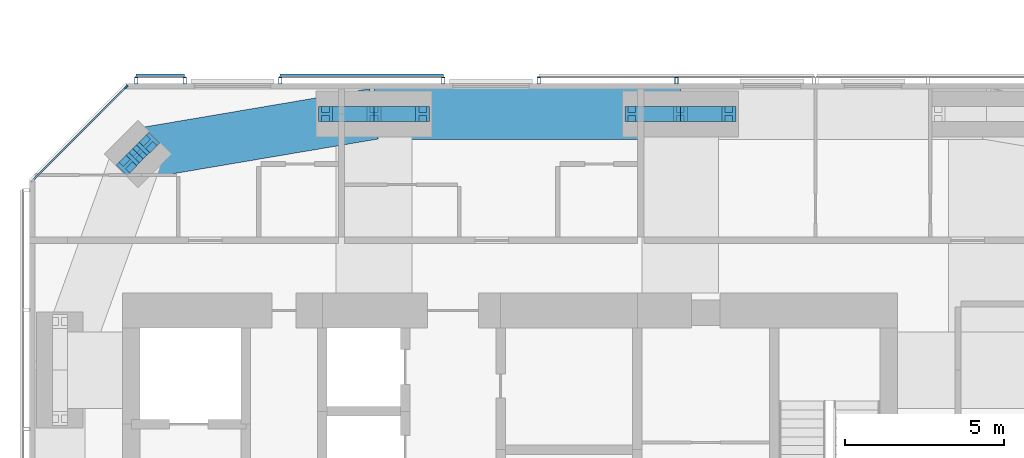
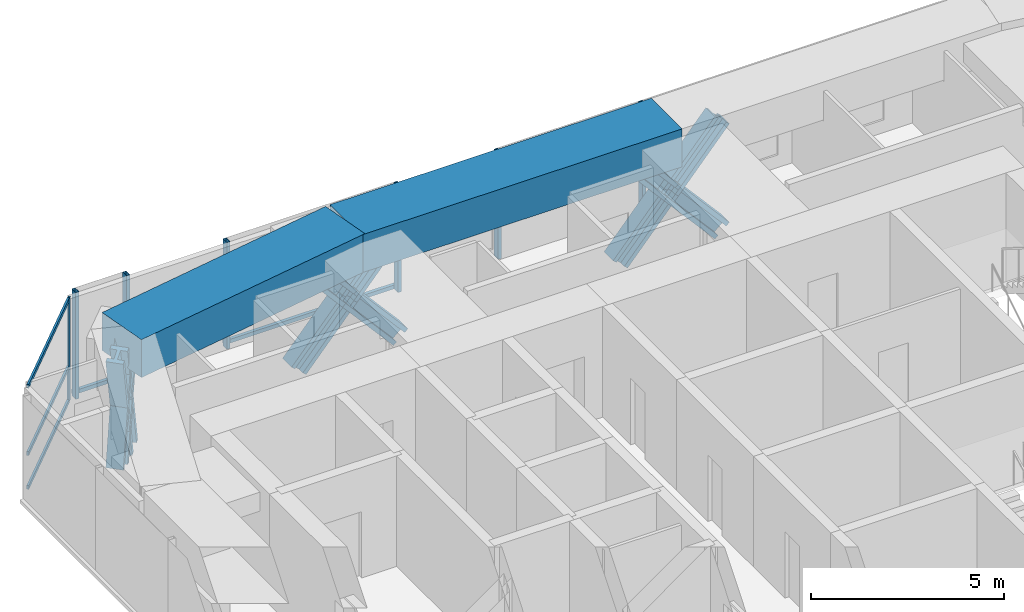
# One storey, part 9 of 18: 24 members, 2 beams, 4 elements without a shape of their own.
"""IFC4 building model written with IfcOpenShell, lengths in metres."""

from ifc_helpers import new_model, si_unit, direction, frame, origin, origin_2d, place, context, subcontext, project, spatial, rectangle, hollow_rectangle, i_section, extrude, material, material_profile, profile_set, type_object, element, aggregate, save


model = new_model("IFC4")

# Units and contexts
model_context = context("Model", 3, precision=1e-05, world=origin(), true_north=direction((0.0, 1.0)))
body_context = subcontext(model_context, "Body", "Model", "MODEL_VIEW")
ifc_project = project(units=[si_unit("LENGTHUNIT", "METRE"), si_unit("AREAUNIT", "SQUARE_METRE"), si_unit("VOLUMEUNIT", "CUBIC_METRE"), si_unit("PLANEANGLEUNIT", "RADIAN"), si_unit("MASSUNIT", "GRAM", prefix="KILO")], contexts=[model_context])

# Site, building, storey
site_placement = place(None, origin())
site = spatial("IfcSite", under=ifc_project, at=site_placement, CompositionType="ELEMENT")
building_placement = place(site_placement, origin())
building = spatial("IfcBuilding", under=site, at=building_placement, Name="Jalousie Tower", CompositionType="ELEMENT")
storey_placement = place(building_placement, frame((0.0, 0.0, 228.449951171875)))
storey = spatial("IfcBuildingStorey", under=building, at=storey_placement, Name="L62", CompositionType="ELEMENT", Elevation=228.449951171875)

# Curtain wall, members
ifc_material_1 = material(Name="Aluminium curtain wall", Category="aluminium")
curtain_wall_type_1 = type_object("IfcCurtainWallType", Name="CORNER WINDOW WALL", PredefinedType="USERDEFINED", material=ifc_material_1)
curtain_wall_1_placement = place(storey_placement, origin())
curtain_wall_1 = element("IfcCurtainWall", 1, at=curtain_wall_1_placement, inside=storey, type_object=curtain_wall_type_1, Name="Corner Window Wall L62 6", ObjectType="CORNER WINDOW WALL", PredefinedType="USERDEFINED")
ifc_material_2 = material(Name="Aluminium mullion", Category="aluminium")
ifc_material_profile_1 = material_profile(ifc_material_2, rectangle(XDim=0.06005859375, YDim=0.14990234375, at=origin_2d()), Name="MULLION 60x150")
ifc_profile_set_1 = profile_set([ifc_material_profile_1], Name="Aluminium mullion")
member_type_1 = type_object("IfcMemberType", Name="CORNER WINDOW WALL MULLION", PredefinedType="MULLION", material=ifc_profile_set_1)
member_1_placement = place(storey_placement, frame((19.830078125, 33.891357421875, 0.0), z_axis=(0.0, 0.0, 1.0), x_axis=(0.707106781187, -0.707106781187, 0.0)))
member_1 = element("IfcMember", 2, at=member_1_placement, type_object=member_type_1, Name="CW-C mullion 1", PredefinedType="MULLION", context=body_context, shape_type="SweptSolid", body=[
    extrude(rectangle(XDim=0.06005859375, YDim=0.14990234375, at=origin_2d()), origin(), (0.0, 0.0, 1.0), 3.260009765625),
])
ifc_material_3 = material(Name="Aluminium transom", Category="aluminium")
ifc_material_profile_2 = material_profile(ifc_material_3, rectangle(XDim=0.06005859375, YDim=0.1201171875, at=origin_2d()), Name="TRANSOM 60x120")
ifc_profile_set_2 = profile_set([ifc_material_profile_2], Name="Aluminium transom")
member_type_2 = type_object("IfcMemberType", Name="CORNER WINDOW WALL TRANSOM", PredefinedType="USERDEFINED", material=ifc_profile_set_2)
member_2_placement = place(storey_placement, frame((19.808837890625, 33.8701171875, 0.030029296875), z_axis=(-0.707106781187, -0.707106781187, 0.0), x_axis=(0.707106781187, -0.707106781187, 0.0)))
member_2 = element("IfcMember", 3, at=member_2_placement, type_object=member_type_2, Name="CW-C transom 1.1", ObjectType="TRANSOM", PredefinedType="USERDEFINED", context=body_context, shape_type="SweptSolid", body=[
    extrude(rectangle(XDim=0.06005859375, YDim=0.1201171875, at=origin_2d()), origin(), (0.0, 0.0, 1.0), 4.0712890625),
])
member_3_placement = place(storey_placement, frame((19.808837890625, 33.8701171875, 1.10009765625), z_axis=(-0.707106781187, -0.707106781187, 0.0), x_axis=(0.707106781187, -0.707106781187, 0.0)))
member_3 = element("IfcMember", 4, at=member_3_placement, type_object=member_type_2, Name="CW-C transom 1.2", ObjectType="TRANSOM", PredefinedType="USERDEFINED", context=body_context, shape_type="SweptSolid", body=[
    extrude(rectangle(XDim=0.06005859375, YDim=0.1201171875, at=origin_2d()), origin(), (0.0, 0.0, 1.0), 4.0712890625),
])
member_4_placement = place(storey_placement, frame((19.808837890625, 33.8701171875, 3.22998046875), z_axis=(-0.707106781187, -0.707106781187, 0.0), x_axis=(0.707106781187, -0.707106781187, 0.0)))
member_4 = element("IfcMember", 5, at=member_4_placement, type_object=member_type_2, Name="CW-C transom 1.3", ObjectType="TRANSOM", PredefinedType="USERDEFINED", context=body_context, shape_type="SweptSolid", body=[
    extrude(rectangle(XDim=0.06005859375, YDim=0.1201171875, at=origin_2d()), origin(), (0.0, 0.0, 1.0), 4.0712890625),
])
aggregate(curtain_wall_1, [member_1, member_2, member_3, member_4])

# Members
ifc_material_4 = material(Name="Steel ASTM A992 Grade 50", Category="steel")
ifc_material_profile_3 = material_profile(ifc_material_4, i_section(OverallWidth=0.472412109375, OverallDepth=0.5791015625, WebThickness=0.094970703125, FlangeThickness=0.1298828125, at=origin_2d()), Name="W14X808")
ifc_profile_set_3 = profile_set([ifc_material_profile_3], Name="Steel ASTM A992 Grade 50")
member_type_3 = type_object("IfcMemberType", Name="PERIMETER BRACE W14X808", PredefinedType="BRACE", material=ifc_profile_set_3)
for number, where, z_axis, x_axis, name in (
    (6, (35.72509765625, 33.050048828125, -0.599853515625), (0.65695436777, 0.0, 0.753930340726), (0.0, 1.0, 0.0), "Perimeter brace 10 L62 part 1"),
    (7, (37.25, 33.050048828125, 1.150146484375), (0.65695436777, 0.0, 0.753930340726), (0.0, 1.0, 0.0), "Perimeter brace 10 L62 part 2"),
    (8, (38.77490234375, 33.050048828125, -0.599853515625), (-0.65695436777, 0.0, 0.753930340726), (0.0, -1.0, 0.0), "Perimeter brace 10 L62 part 3"),
    (9, (37.25, 33.050048828125, 1.150146484375), (-0.65695436777, 0.0, 0.753930340726), (0.0, -1.0, 0.0), "Perimeter brace 10 L62 part 4"),
    (10, (26.10009765625, 33.050048828125, -0.599853515625), (0.65695436777, 0.0, 0.753930340726), (0.0, 1.0, 0.0), "Perimeter brace 11 L62 part 1"),
    (11, (27.625, 33.050048828125, 1.150146484375), (0.65695436777, 0.0, 0.753930340726), (0.0, 1.0, 0.0), "Perimeter brace 11 L62 part 2"),
    (12, (29.14990234375, 33.050048828125, -0.599853515625), (-0.65695436777, 0.0, 0.753930340726), (0.0, -1.0, 0.0), "Perimeter brace 11 L62 part 3"),
    (13, (27.625, 33.050048828125, 1.150146484375), (-0.65695436777, 0.0, 0.753930340726), (0.0, -1.0, 0.0), "Perimeter brace 11 L62 part 4"),
):
    element("IfcMember", number, at=place(storey_placement, frame(where, z_axis=z_axis, x_axis=x_axis)), inside=storey, type_object=member_type_3, Name=name, PredefinedType="BRACE", context=body_context, shape_type="SweptSolid", body=[
        extrude(i_section(OverallWidth=0.472412109375, OverallDepth=0.5791015625, WebThickness=0.094970703125, FlangeThickness=0.1298828125, at=origin_2d()), origin(), (0.0, 0.0, 1.0), 2.3212890625),
    ])
for number, where, z_axis, x_axis, name in (
    (14, (20.525390625, 32.111083984375, -0.599853515625), (-0.17618653952, -0.176051427143, 0.968485517854), (0.706835495285, -0.707377963048, 0.0), "Perimeter brace 12 L62 part 1"),
    (15, (20.20703125, 31.79296875, 1.150146484375), (-0.176051427143, -0.17618653952, 0.968485517854), (0.707377963048, -0.706835495285, 0.0), "Perimeter brace 12 L62 part 2"),
    (16, (19.888916015625, 31.474609375, -0.599853515625), (0.176051427143, 0.17618653952, 0.968485517854), (-0.707377963048, 0.706835495285, 0.0), "Perimeter brace 12 L62 part 3"),
    (17, (20.20703125, 31.79296875, 1.150146484375), (0.17618653952, 0.176051427143, 0.968485517854), (-0.706835495285, 0.707377963048, 0.0), "Perimeter brace 12 L62 part 4"),
):
    element("IfcMember", number, at=place(storey_placement, frame(where, z_axis=z_axis, x_axis=x_axis)), inside=storey, type_object=member_type_3, Name=name, PredefinedType="BRACE", context=body_context, shape_type="SweptSolid", body=[
        extrude(i_section(OverallWidth=0.472412109375, OverallDepth=0.5791015625, WebThickness=0.094970703125, FlangeThickness=0.1298828125, at=origin_2d()), origin(), (0.0, 0.0, 1.0), 1.806884765625),
    ])

# Beams
ifc_material_5 = material(Name="Concrete f'c 40 MPa", Category="concrete")
ifc_material_profile_4 = material_profile(ifc_material_5, rectangle(XDim=1.60009765625, YDim=1.199951171875, at=origin_2d()), Name="RC 1600x1200")
ifc_profile_set_4 = profile_set([ifc_material_profile_4], Name="Concrete f'c 40 MPa")
beam_type = type_object("IfcBeamType", Name="RC BEAM 1600x1200", PredefinedType="BEAM", material=ifc_profile_set_4)
beam_1_placement = place(storey_placement, frame((37.25, 33.050048828125, 2.900146484375), z_axis=(-1.0, 0.0, 0.0), x_axis=(0.0, -1.0, 0.0)))
element("IfcBeam", 18, at=beam_1_placement, inside=storey, type_object=beam_type, Name="Edge band beam 10-11 under L63", PredefinedType="BEAM", context=body_context, shape_type="SweptSolid", body=[
    extrude(rectangle(XDim=1.60009765625, YDim=1.199951171875, at=origin_2d()), origin(), (0.0, 0.0, 1.0), 9.625),
])
beam_2_placement = place(storey_placement, frame((27.625, 33.050048828125, 2.900146484375), z_axis=(-0.985942997446, -0.167082033105, 0.0), x_axis=(0.167082033105, -0.985942997446, 0.0)))
element("IfcBeam", 19, at=beam_2_placement, inside=storey, type_object=beam_type, Name="Edge band beam 11-12 under L63", PredefinedType="BEAM", context=body_context, shape_type="SweptSolid", body=[
    extrude(rectangle(XDim=1.60009765625, YDim=1.199951171875, at=origin_2d()), origin(), (0.0, 0.0, 1.0), 7.523681640625),
])

# Curtain wall, members
ifc_material_6 = material(Name="Perforated aluminium sheet", Category="aluminium")
curtain_wall_type_2 = type_object("IfcCurtainWallType", Name="SOLAR SCREEN SS-2", PredefinedType="USERDEFINED", material=ifc_material_6)
curtain_wall_2_placement = place(storey_placement, origin())
curtain_wall_2 = element("IfcCurtainWall", 20, at=curtain_wall_2_placement, inside=storey, type_object=curtain_wall_type_2, Name="Solar screen L62", ObjectType="SOLAR SCREEN SS-2", PredefinedType="USERDEFINED")
ifc_material_7 = material(Name="Steel ASTM A500 Grade C", Category="steel")
ifc_material_profile_5 = material_profile(ifc_material_7, hollow_rectangle(XDim=0.1015625, YDim=0.203125, WallThickness=0.0078125, at=origin_2d()), Name="HSS8X4X5/16")
ifc_profile_set_5 = profile_set([ifc_material_profile_5], Name="Steel ASTM A500 Grade C")
member_type_4 = type_object("IfcMemberType", Name="SOLAR SCREEN SS-2 MULLION", PredefinedType="MULLION", material=ifc_profile_set_5)
member_5_placement = place(storey_placement, frame((37.125, 34.0966796875, -0.119873046875), z_axis=(0.0, 0.0, 1.0), x_axis=(-1.0, 0.0, 0.0)))
member_5 = element("IfcMember", 21, at=member_5_placement, type_object=member_type_4, Name="SS2 post 2", PredefinedType="MULLION", context=body_context, shape_type="SweptSolid", body=[
    extrude(hollow_rectangle(XDim=0.1015625, YDim=0.203125, WallThickness=0.0078125, at=origin_2d()), origin(), (0.0, 0.0, 1.0), 3.3798828125),
])
member_6_placement = place(storey_placement, frame((32.800048828125, 34.0966796875, -0.119873046875), z_axis=(0.0, 0.0, 1.0), x_axis=(-1.0, 0.0, 0.0)))
member_6 = element("IfcMember", 22, at=member_6_placement, type_object=member_type_4, Name="SS2 post 3", PredefinedType="MULLION", context=body_context, shape_type="SweptSolid", body=[
    extrude(hollow_rectangle(XDim=0.1015625, YDim=0.203125, WallThickness=0.0078125, at=origin_2d()), origin(), (0.0, 0.0, 1.0), 3.3798828125),
])
aggregate(curtain_wall_2, [member_5, member_6])

curtain_wall_3_placement = place(storey_placement, origin())
curtain_wall_3 = element("IfcCurtainWall", 23, at=curtain_wall_3_placement, inside=storey, type_object=curtain_wall_type_2, Name="Solar screen L62", ObjectType="SOLAR SCREEN SS-2", PredefinedType="USERDEFINED")
member_7_placement = place(storey_placement, frame((29.800048828125, 34.0966796875, -0.119873046875), z_axis=(0.0, 0.0, 1.0), x_axis=(-1.0, 0.0, 0.0)))
member_7 = element("IfcMember", 24, at=member_7_placement, type_object=member_type_4, Name="SS2 post 1", PredefinedType="MULLION", context=body_context, shape_type="SweptSolid", body=[
    extrude(hollow_rectangle(XDim=0.1015625, YDim=0.203125, WallThickness=0.0078125, at=origin_2d()), origin(), (0.0, 0.0, 1.0), 3.3798828125),
])
member_8_placement = place(storey_placement, frame((24.675537109375, 34.0966796875, -0.119873046875), z_axis=(0.0, 0.0, 1.0), x_axis=(-1.0, 0.0, 0.0)))
member_8 = element("IfcMember", 25, at=member_8_placement, type_object=member_type_4, Name="SS2 post 2", PredefinedType="MULLION", context=body_context, shape_type="SweptSolid", body=[
    extrude(hollow_rectangle(XDim=0.1015625, YDim=0.203125, WallThickness=0.0078125, at=origin_2d()), origin(), (0.0, 0.0, 1.0), 3.3798828125),
])

curtain_wall_4_placement = place(storey_placement, origin())
curtain_wall_4 = element("IfcCurtainWall", 26, at=curtain_wall_4_placement, inside=storey, type_object=curtain_wall_type_2, Name="Solar screen L62", ObjectType="SOLAR SCREEN SS-2", PredefinedType="USERDEFINED")
member_9_placement = place(storey_placement, frame((21.675537109375, 34.0966796875, -0.119873046875), z_axis=(0.0, 0.0, 1.0), x_axis=(-1.0, 0.0, 0.0)))
member_9 = element("IfcMember", 27, at=member_9_placement, type_object=member_type_4, Name="SS2 post 1", PredefinedType="MULLION", context=body_context, shape_type="SweptSolid", body=[
    extrude(hollow_rectangle(XDim=0.1015625, YDim=0.203125, WallThickness=0.0078125, at=origin_2d()), origin(), (0.0, 0.0, 1.0), 3.3798828125),
])
member_10_placement = place(storey_placement, frame((20.1513671875, 34.0966796875, -0.119873046875), z_axis=(0.0, 0.0, 1.0), x_axis=(-1.0, 0.0, 0.0)))
member_10 = element("IfcMember", 28, at=member_10_placement, type_object=member_type_4, Name="SS2 post 2", PredefinedType="MULLION", context=body_context, shape_type="SweptSolid", body=[
    extrude(hollow_rectangle(XDim=0.1015625, YDim=0.203125, WallThickness=0.0078125, at=origin_2d()), origin(), (0.0, 0.0, 1.0), 3.3798828125),
])

# Member
ifc_material_8 = material(Name="Extruded aluminium screen rail", Category="aluminium")
ifc_material_profile_6 = material_profile(ifc_material_8, rectangle(XDim=0.1015625, YDim=0.1201171875, at=origin_2d()), Name="RAIL 102x120")
ifc_profile_set_6 = profile_set([ifc_material_profile_6], Name="Extruded aluminium screen rail")
member_type_5 = type_object("IfcMemberType", Name="SOLAR SCREEN SS-2 TRANSOM", PredefinedType="USERDEFINED", material=ifc_profile_set_6)
member_11_placement = place(storey_placement, frame((29.800048828125, 34.2490234375, -0.06005859375), z_axis=(-1.0, 0.0, 0.0), x_axis=(0.0, -1.0, 0.0)))
member_11 = element("IfcMember", 29, at=member_11_placement, type_object=member_type_5, Name="SS2 rail", ObjectType="TRANSOM", PredefinedType="USERDEFINED", context=body_context, shape_type="SweptSolid", body=[
    extrude(rectangle(XDim=0.1015625, YDim=0.1201171875, at=origin_2d()), origin(), (0.0, 0.0, 1.0), 5.12451171875),
])

aggregate(curtain_wall_3, [member_7, member_8, member_11])

member_12_placement = place(storey_placement, frame((21.675537109375, 34.2490234375, -0.06005859375), z_axis=(-1.0, 0.0, 0.0), x_axis=(0.0, -1.0, 0.0)))
member_12 = element("IfcMember", 30, at=member_12_placement, type_object=member_type_5, Name="SS2 rail", ObjectType="TRANSOM", PredefinedType="USERDEFINED", context=body_context, shape_type="SweptSolid", body=[
    extrude(rectangle(XDim=0.1015625, YDim=0.1201171875, at=origin_2d()), origin(), (0.0, 0.0, 1.0), 1.524169921875),
])

aggregate(curtain_wall_4, [member_9, member_10, member_12])

save(model, "model.ifc")
